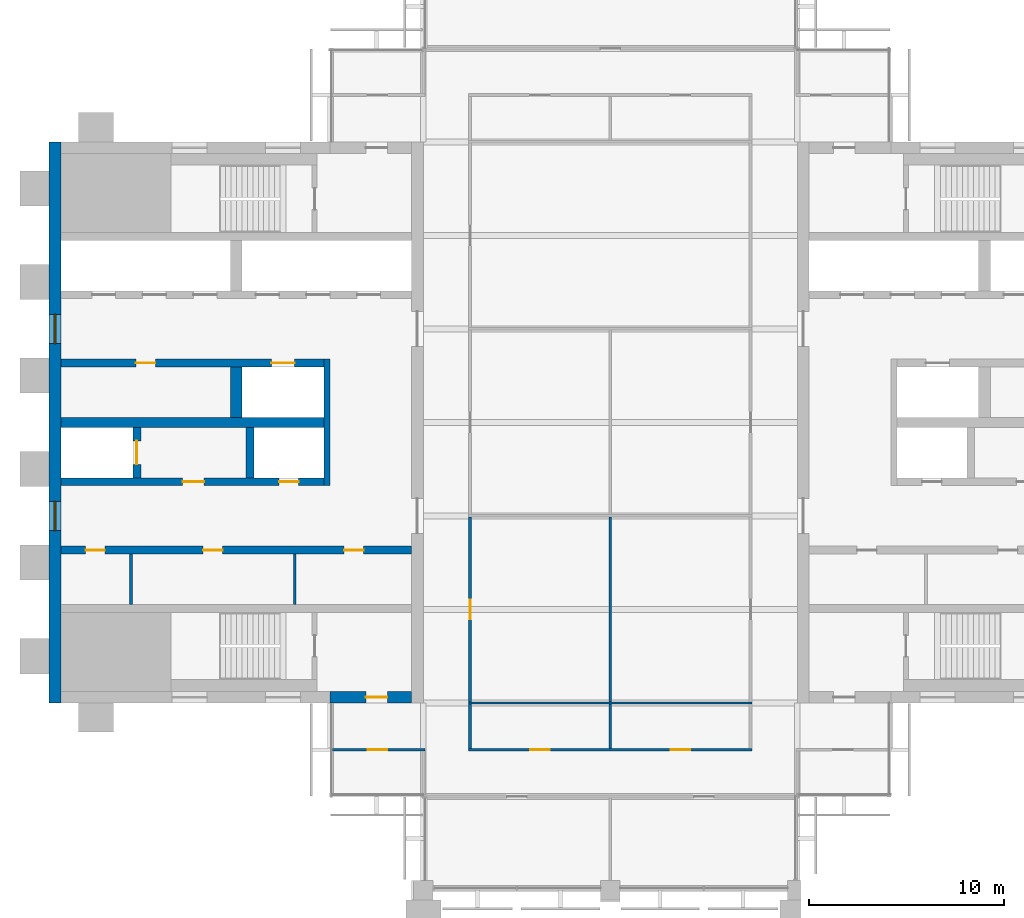
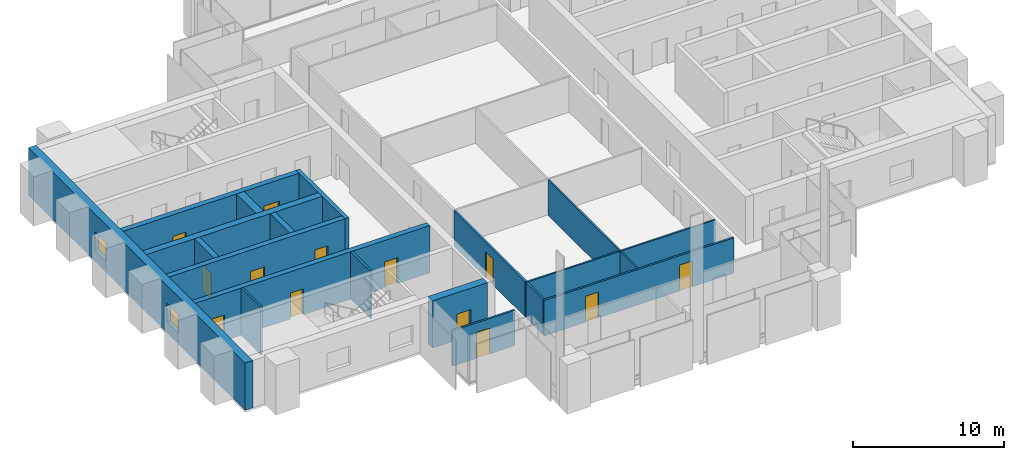
# One storey, part 8 of 13: 19 walls, 13 doors, 2 windows, 15 openings.
"""IFC4 building model written with IfcOpenShell, lengths in metres."""

from ifc_helpers import new_model, si_unit, direction, frame, frame_2d, origin, place, context, subcontext, project, spatial, rectangle, extrude, material, layer, layer_set, type_object, element, fill, save


model = new_model("IFC4")

# Units and contexts
model_context = context("Model", 3, precision=1e-05, world=origin(), true_north=direction((0.0, 1.0)))
body_context = subcontext(model_context, "Body", "Model", "MODEL_VIEW")
ifc_project = project(units=[si_unit("LENGTHUNIT", "METRE"), si_unit("AREAUNIT", "SQUARE_METRE"), si_unit("VOLUMEUNIT", "CUBIC_METRE"), si_unit("PLANEANGLEUNIT", "RADIAN"), si_unit("MASSUNIT", "GRAM", prefix="KILO")], contexts=[model_context])

# Site, building, storey
site_placement = place(None, origin())
site = spatial("IfcSite", under=ifc_project, at=site_placement, CompositionType="ELEMENT")
building_placement = place(site_placement, origin())
building = spatial("IfcBuilding", under=site, at=building_placement, Name="Baori Bourse Tower", CompositionType="ELEMENT")
storey_placement = place(building_placement, frame((0.0, 0.0, 294.300048828125)))
storey = spatial("IfcBuildingStorey", under=building, at=storey_placement, Name="L64", CompositionType="ELEMENT", Elevation=294.300048828125)

# Walls
ifc_material_1 = material(Name="Blockwork partition", Category="masonry")
ifc_layer_1 = layer(ifc_material_1, 0.14990234375)
ifc_layer_set_1 = layer_set([ifc_layer_1], Name="Core partition 150")
wall_type_1 = type_object("IfcWallType", Name="Core partition 150", PredefinedType="PARTITIONING", material=ifc_layer_set_1)
for number, where, z_axis, x_axis, name in (
    (1, (4.199951171875, 14.64990234375, 0.0), (0.0, 0.0, 1.0), (0.0, 1.0, 0.0), "Partition wall W09"),
    (2, (12.60009765625, 14.64990234375, 0.0), (0.0, 0.0, 1.0), (0.0, 1.0, 0.0), "Partition wall W10"),
):
    element("IfcWall", number, at=place(storey_placement, frame(where, z_axis=z_axis, x_axis=x_axis)), inside=storey, type_object=wall_type_1, Name=name, PredefinedType="PARTITIONING", context=body_context, shape_type="SweptSolid", body=[
        extrude(rectangle(XDim=2.60009765625, YDim=0.14990234375, at=frame_2d((1.300048828125, 0.0))), origin(), (0.0, 0.0, 1.0), 3.83984375),
    ])

# Wall, openings, windows
ifc_material_2 = material(Name="Concrete f'c 40 MPa", Category="concrete")
ifc_layer_2 = layer(ifc_material_2, 0.60009765625)
ifc_layer_set_2 = layer_set([ifc_layer_2], Name="Core wall 600 f'c 40")
wall_type_2 = type_object("IfcWallType", Name="Core wall 600 f'c 40", PredefinedType="SHEAR", material=ifc_layer_set_2)
wall_1_placement = place(storey_placement, frame((0.300048828125, 9.60009765625, 0.0), z_axis=(0.0, 0.0, 1.0), x_axis=(0.0, 1.0, 0.0)))
wall_1 = element("IfcWall", 3, at=wall_1_placement, inside=storey, type_object=wall_type_2, Name="Core wall W01", PredefinedType="SHEAR", context=body_context, shape_type="SweptSolid", body=[
    extrude(rectangle(XDim=28.7998046875, YDim=0.60009765625, at=frame_2d((14.39990234375, 0.0))), origin(), (0.0, 0.0, 1.0), 3.83984375),
])
opening_1_placement = place(wall_1_placement, frame((8.85009765625, 0.0, 0.89990234375)))
opening_1 = element("IfcOpeningElement", 4, at=opening_1_placement, cuts=wall_1, Name="Opening L64-KW101", PredefinedType="OPENING", context=body_context, shape_type="SweptSolid", body=[
    extrude(rectangle(XDim=1.5, YDim=1.5, at=frame_2d((0.75, 0.75))), frame((0.0, 0.31005859375, 0.0), z_axis=(0.0, -1.0, 0.0), x_axis=(1.0, 0.0, 0.0)), (0.0, 0.0, 1.0), 0.6201171875),
])
opening_2_placement = place(wall_1_placement, frame((18.449951171875, 0.0, 0.89990234375)))
opening_2 = element("IfcOpeningElement", 5, at=opening_2_placement, cuts=wall_1, Name="Opening L64-KW102", PredefinedType="OPENING", context=body_context, shape_type="SweptSolid", body=[
    extrude(rectangle(XDim=1.5, YDim=1.5, at=frame_2d((0.75, 0.75))), frame((0.0, 0.31005859375, 0.0), z_axis=(0.0, -1.0, 0.0), x_axis=(1.0, 0.0, 0.0)), (0.0, 0.0, 1.0), 0.6201171875),
])
ifc_material_3 = material(Name="Pale anodised aluminium", Category="aluminium")
window_type = type_object("IfcWindowType", Name="Lobby window 1500 x 1500", PartitioningType="SINGLE_PANEL", PredefinedType="WINDOW", material=ifc_material_3)
window_1_placement = place(opening_1_placement, origin())
window_1 = element("IfcWindow", 6, at=window_1_placement, inside=storey, type_object=window_type, Name="Outer wall window W L64 1", OverallHeight=1.5, OverallWidth=1.5, PartitioningType="SINGLE_PANEL", PredefinedType="WINDOW", context=body_context, shape_type="SweptSolid", body=[
    extrude(rectangle(XDim=1.5, YDim=1.5, at=frame_2d((0.75, 0.75))), frame((0.0, 0.030029296875, 0.0), z_axis=(0.0, -1.0, 0.0), x_axis=(1.0, 0.0, 0.0)), (0.0, 0.0, 1.0), 0.06005859375),
])
fill(opening_1, window_1)
window_2_placement = place(opening_2_placement, origin())
window_2 = element("IfcWindow", 7, at=window_2_placement, inside=storey, type_object=window_type, Name="Outer wall window W L64 2", OverallHeight=1.5, OverallWidth=1.5, PartitioningType="SINGLE_PANEL", PredefinedType="WINDOW", context=body_context, shape_type="SweptSolid", body=[
    extrude(rectangle(XDim=1.5, YDim=1.5, at=frame_2d((0.75, 0.75))), frame((0.0, 0.030029296875, 0.0), z_axis=(0.0, -1.0, 0.0), x_axis=(1.0, 0.0, 0.0)), (0.0, 0.0, 1.0), 0.06005859375),
])
fill(opening_2, window_2)

# Wall, opening, door
wall_2_placement = place(storey_placement, frame((18.60009765625, 9.89990234375, 0.0), z_axis=(0.0, 0.0, 1.0), x_axis=(-1.0, 0.0, 0.0)))
wall_2 = element("IfcWall", 8, at=wall_2_placement, inside=storey, type_object=wall_type_2, Name="Core wall W03", PredefinedType="SHEAR", context=body_context, shape_type="SweptSolid", body=[
    extrude(rectangle(XDim=4.2001953125, YDim=0.60009765625, at=frame_2d((2.10009765625, 0.0))), origin(), (0.0, 0.0, 1.0), 3.83984375),
])
opening_3_placement = place(wall_2_placement, frame((1.25, 0.0, 0.0)))
opening_3 = element("IfcOpeningElement", 9, at=opening_3_placement, cuts=wall_2, Name="Opening L64-D102", PredefinedType="OPENING", context=body_context, shape_type="SweptSolid", body=[
    extrude(rectangle(XDim=1.10009765625, YDim=2.10009765625, at=frame_2d((0.550048828125, 1.050048828125))), frame((0.0, 0.31005859375, 0.0), z_axis=(0.0, -1.0, 0.0), x_axis=(1.0, 0.0, 0.0)), (0.0, 0.0, 1.0), 0.6201171875),
])
ifc_material_4 = material(Name="Painted steel door", Category="steel")
door_type_1 = type_object("IfcDoorType", Name="Stair door 1100", OperationType="SINGLE_SWING_LEFT", PredefinedType="DOOR", material=ifc_material_4)
door_1_placement = place(opening_3_placement, origin())
door_1 = element("IfcDoor", 10, at=door_1_placement, inside=storey, type_object=door_type_1, Name="Stair vestibule door A W L64", OperationType="SINGLE_SWING_LEFT", OverallHeight=2.10009765625, OverallWidth=1.10009765625, PredefinedType="DOOR", context=body_context, shape_type="SweptSolid", body=[
    extrude(rectangle(XDim=1.10009765625, YDim=2.10009765625, at=frame_2d((0.550048828125, 1.050048828125))), frame((0.0, 0.02490234375, 0.0), z_axis=(0.0, -1.0, 0.0), x_axis=(1.0, 0.0, 0.0)), (0.0, 0.0, 1.0), 0.050048828125),
])
fill(opening_3, door_1)

ifc_material_5 = material(Name="Gypsum board partition")
ifc_layer_3 = layer(ifc_material_5, 0.14990234375)
ifc_layer_set_3 = layer_set([ifc_layer_3], Name="Corridor partition 150")
wall_type_3 = type_object("IfcWallType", Name="Corridor partition 150", PredefinedType="PARTITIONING", material=ifc_layer_set_3)
wall_3_placement = place(storey_placement, frame((14.5, 7.199951171875, 0.0), z_axis=(0.0, 0.0, 1.0), x_axis=(1.0, 0.0, 0.0)))
wall_3 = element("IfcWall", 11, at=wall_3_placement, inside=storey, type_object=wall_type_3, Name="Partition", PredefinedType="PARTITIONING", context=body_context, shape_type="SweptSolid", body=[
    extrude(rectangle(XDim=4.77490234375, YDim=0.14990234375, at=frame_2d((2.387451171875, 0.0))), origin(), (0.0, 0.0, 1.0), 2.86962890625),
])
opening_4_placement = place(wall_3_placement, frame((1.85009765625, 0.0, 0.0)))
opening_4 = element("IfcOpeningElement", 12, at=opening_4_placement, cuts=wall_3, Name="Opening L64-D03", PredefinedType="OPENING", context=body_context, shape_type="SweptSolid", body=[
    extrude(rectangle(XDim=1.0, YDim=2.10009765625, at=frame_2d((0.5, 1.050048828125))), frame((0.0, 0.0849609375, 0.0), z_axis=(0.0, -1.0, 0.0), x_axis=(1.0, 0.0, 0.0)), (0.0, 0.0, 1.0), 0.169921875),
])
ifc_material_6 = material(Name="Timber door leaf", Category="wood")
door_type_2 = type_object("IfcDoorType", Name="Door 1000 x 2100", OperationType="SINGLE_SWING_LEFT", PredefinedType="DOOR", material=ifc_material_6)
door_2_placement = place(opening_4_placement, origin())
door_2 = element("IfcDoor", 13, at=door_2_placement, inside=storey, type_object=door_type_2, Name="Door", OperationType="SINGLE_SWING_LEFT", OverallHeight=2.10009765625, OverallWidth=1.0, PredefinedType="DOOR", context=body_context, shape_type="SweptSolid", body=[
    extrude(rectangle(XDim=1.0, YDim=2.10009765625, at=frame_2d((0.5, 1.050048828125))), frame((0.0, 0.02490234375, 0.0), z_axis=(0.0, -1.0, 0.0), x_axis=(1.0, 0.0, 0.0)), (0.0, 0.0, 1.0), 0.050048828125),
])
fill(opening_4, door_2)

# Wall, openings, doors
wall_4_placement = place(storey_placement, frame((21.52490234375, 7.199951171875, 0.0), z_axis=(0.0, 0.0, 1.0), x_axis=(1.0, 0.0, 0.0)))
wall_4 = element("IfcWall", 14, at=wall_4_placement, inside=storey, type_object=wall_type_3, Name="Partition", PredefinedType="PARTITIONING", context=body_context, shape_type="SweptSolid", body=[
    extrude(rectangle(XDim=14.550048828125, YDim=0.14990234375, at=frame_2d((7.27490234375, 0.0))), origin(), (0.0, 0.0, 1.0), 2.86962890625),
])
opening_5_placement = place(wall_4_placement, frame((3.175048828125, 0.0, 0.0)))
opening_5 = element("IfcOpeningElement", 15, at=opening_5_placement, cuts=wall_4, Name="Opening L64-D04", PredefinedType="OPENING", context=body_context, shape_type="SweptSolid", body=[
    extrude(rectangle(XDim=1.0, YDim=2.10009765625, at=frame_2d((0.5, 1.050048828125))), frame((0.0, 0.0849609375, 0.0), z_axis=(0.0, -1.0, 0.0), x_axis=(1.0, 0.0, 0.0)), (0.0, 0.0, 1.0), 0.169921875),
])
opening_6_placement = place(wall_4_placement, frame((10.375, 0.0, 0.0)))
opening_6 = element("IfcOpeningElement", 16, at=opening_6_placement, cuts=wall_4, Name="Opening L64-D05", PredefinedType="OPENING", context=body_context, shape_type="SweptSolid", body=[
    extrude(rectangle(XDim=1.0, YDim=2.10009765625, at=frame_2d((0.5, 1.050048828125))), frame((0.0, 0.0849609375, 0.0), z_axis=(0.0, -1.0, 0.0), x_axis=(1.0, 0.0, 0.0)), (0.0, 0.0, 1.0), 0.169921875),
])
door_3_placement = place(opening_5_placement, origin())
door_3 = element("IfcDoor", 17, at=door_3_placement, inside=storey, type_object=door_type_2, Name="Door", OperationType="SINGLE_SWING_RIGHT", OverallHeight=2.10009765625, OverallWidth=1.0, PredefinedType="DOOR", context=body_context, shape_type="SweptSolid", body=[
    extrude(rectangle(XDim=1.0, YDim=2.10009765625, at=frame_2d((0.5, 1.050048828125))), frame((0.0, 0.02490234375, 0.0), z_axis=(0.0, -1.0, 0.0), x_axis=(1.0, 0.0, 0.0)), (0.0, 0.0, 1.0), 0.050048828125),
])
fill(opening_5, door_3)
door_4_placement = place(opening_6_placement, origin())
door_4 = element("IfcDoor", 18, at=door_4_placement, inside=storey, type_object=door_type_2, Name="Door", OperationType="SINGLE_SWING_LEFT", OverallHeight=2.10009765625, OverallWidth=1.0, PredefinedType="DOOR", context=body_context, shape_type="SweptSolid", body=[
    extrude(rectangle(XDim=1.0, YDim=2.10009765625, at=frame_2d((0.5, 1.050048828125))), frame((0.0, 0.02490234375, 0.0), z_axis=(0.0, -1.0, 0.0), x_axis=(1.0, 0.0, 0.0)), (0.0, 0.0, 1.0), 0.050048828125),
])
fill(opening_6, door_4)

# Wall
wall_5_placement = place(storey_placement, frame((21.60009765625, 7.27490234375, 0.0), z_axis=(0.0, 0.0, 1.0), x_axis=(0.0, 1.0, 0.0)))
element("IfcWall", 19, at=wall_5_placement, inside=storey, type_object=wall_type_3, Name="Partition", PredefinedType="PARTITIONING", context=body_context, shape_type="SweptSolid", body=[
    extrude(rectangle(XDim=2.2626953125, YDim=0.14990234375, at=frame_2d((1.13134765625, 0.0))), origin(), (0.0, 0.0, 1.0), 2.86962890625),
])

# Wall, opening, door
wall_6_placement = place(storey_placement, frame((21.60009765625, 9.66259765625, 0.0), z_axis=(0.0, 0.0, 1.0), x_axis=(0.0, 1.0, 0.0)))
wall_6 = element("IfcWall", 20, at=wall_6_placement, inside=storey, type_object=wall_type_3, Name="Partition", PredefinedType="PARTITIONING", context=body_context, shape_type="SweptSolid", body=[
    extrude(rectangle(XDim=9.474853515625, YDim=0.14990234375, at=frame_2d((4.7373046875, 0.0))), origin(), (0.0, 0.0, 1.0), 2.86962890625),
])
opening_7_placement = place(wall_6_placement, frame((4.237548828125, 0.0, 0.0)))
opening_7 = element("IfcOpeningElement", 21, at=opening_7_placement, cuts=wall_6, Name="Opening L64-D12", PredefinedType="OPENING", context=body_context, shape_type="SweptSolid", body=[
    extrude(rectangle(XDim=1.0, YDim=2.10009765625, at=frame_2d((0.5, 1.050048828125))), frame((0.0, 0.0849609375, 0.0), z_axis=(0.0, -1.0, 0.0), x_axis=(1.0, 0.0, 0.0)), (0.0, 0.0, 1.0), 0.169921875),
])
door_5_placement = place(opening_7_placement, origin())
door_5 = element("IfcDoor", 22, at=door_5_placement, inside=storey, type_object=door_type_2, Name="Door", OperationType="SINGLE_SWING_RIGHT", OverallHeight=2.10009765625, OverallWidth=1.0, PredefinedType="DOOR", context=body_context, shape_type="SweptSolid", body=[
    extrude(rectangle(XDim=1.0, YDim=2.10009765625, at=frame_2d((0.5, 1.050048828125))), frame((0.0, 0.02490234375, 0.0), z_axis=(0.0, -1.0, 0.0), x_axis=(1.0, 0.0, 0.0)), (0.0, 0.0, 1.0), 0.050048828125),
])
fill(opening_7, door_5)

# Walls
ifc_material_7 = material(Name="Gypsum board partition")
ifc_layer_4 = layer(ifc_material_7, 0.125)
ifc_layer_set_4 = layer_set([ifc_layer_4], Name="Partition 125")
wall_type_4 = type_object("IfcWallType", Name="Partition 125", PredefinedType="PARTITIONING", material=ifc_layer_set_4)
wall_7_placement = place(storey_placement, frame((21.52490234375, 9.60009765625, 0.0), z_axis=(0.0, 0.0, 1.0), x_axis=(1.0, 0.0, 0.0)))
element("IfcWall", 23, at=wall_7_placement, inside=storey, type_object=wall_type_4, Name="Partition", PredefinedType="PARTITIONING", context=body_context, shape_type="SweptSolid", body=[
    extrude(rectangle(XDim=14.550048828125, YDim=0.125, at=frame_2d((7.27490234375, 0.0))), origin(), (0.0, 0.0, 1.0), 2.86962890625),
])
wall_8_placement = place(storey_placement, frame((28.800048828125, 7.27490234375, 0.0), z_axis=(0.0, 0.0, 1.0), x_axis=(0.0, 1.0, 0.0)))
element("IfcWall", 24, at=wall_8_placement, inside=storey, type_object=wall_type_4, Name="Partition", PredefinedType="PARTITIONING", context=body_context, shape_type="SweptSolid", body=[
    extrude(rectangle(XDim=2.2626953125, YDim=0.125, at=frame_2d((1.13134765625, 0.0))), origin(), (0.0, 0.0, 1.0), 2.86962890625),
])
wall_9_placement = place(storey_placement, frame((28.800048828125, 9.66259765625, 0.0), z_axis=(0.0, 0.0, 1.0), x_axis=(0.0, 1.0, 0.0)))
element("IfcWall", 25, at=wall_9_placement, inside=storey, type_object=wall_type_4, Name="Partition", PredefinedType="PARTITIONING", context=body_context, shape_type="SweptSolid", body=[
    extrude(rectangle(XDim=9.474853515625, YDim=0.125, at=frame_2d((4.7373046875, 0.0))), origin(), (0.0, 0.0, 1.0), 2.86962890625),
])
ifc_material_8 = material(Name="Concrete f'c 40 MPa", Category="concrete")
ifc_layer_5 = layer(ifc_material_8, 0.300048828125)
ifc_layer_set_5 = layer_set([ifc_layer_5], Name="Shaft wall 300 f'c 40")
wall_type_5 = type_object("IfcWallType", Name="Shaft wall 300 f'c 40", PredefinedType="SHEAR", material=ifc_layer_set_5)
wall_10_placement = place(storey_placement, frame((14.25, 20.75, 0.0), z_axis=(0.0, 0.0, 1.0), x_axis=(0.0, 1.0, 0.0)))
element("IfcWall", 26, at=wall_10_placement, inside=storey, type_object=wall_type_5, Name="Core wall W13", PredefinedType="SHEAR", context=body_context, shape_type="SweptSolid", body=[
    extrude(rectangle(XDim=6.5, YDim=0.300048828125, at=frame_2d((3.25, 0.0))), origin(), (0.0, 0.0, 1.0), 3.83984375),
])

# Wall, openings, doors
ifc_material_9 = material(Name="Concrete f'c 40 MPa", Category="concrete")
ifc_layer_6 = layer(ifc_material_9, 0.39990234375)
ifc_layer_set_6 = layer_set([ifc_layer_6], Name="Shaft wall 400 f'c 40")
wall_type_6 = type_object("IfcWallType", Name="Shaft wall 400 f'c 40", PredefinedType="SHEAR", material=ifc_layer_set_6)
wall_11_placement = place(storey_placement, frame((0.60009765625, 17.449951171875, 0.0), z_axis=(0.0, 0.0, 1.0), x_axis=(1.0, 0.0, 0.0)))
wall_11 = element("IfcWall", 27, at=wall_11_placement, inside=storey, type_object=wall_type_6, Name="Core wall W11", PredefinedType="SHEAR", context=body_context, shape_type="SweptSolid", body=[
    extrude(rectangle(XDim=18.0, YDim=0.39990234375, at=frame_2d((9.0, 0.0))), origin(), (0.0, 0.0, 1.0), 3.83984375),
])
opening_8_placement = place(wall_11_placement, frame((1.262451171875, 0.0, 0.0)))
opening_8 = element("IfcOpeningElement", 28, at=opening_8_placement, cuts=wall_11, Name="Opening L64-D109", PredefinedType="OPENING", context=body_context, shape_type="SweptSolid", body=[
    extrude(rectangle(XDim=1.0, YDim=2.10009765625, at=frame_2d((0.5, 1.050048828125))), frame((0.0, 0.2099609375, 0.0), z_axis=(0.0, -1.0, 0.0), x_axis=(1.0, 0.0, 0.0)), (0.0, 0.0, 1.0), 0.419921875),
])
opening_9_placement = place(wall_11_placement, frame((7.300048828125, 0.0, 0.0)))
opening_9 = element("IfcOpeningElement", 29, at=opening_9_placement, cuts=wall_11, Name="Opening L64-D110", PredefinedType="OPENING", context=body_context, shape_type="SweptSolid", body=[
    extrude(rectangle(XDim=1.0, YDim=2.10009765625, at=frame_2d((0.5, 1.050048828125))), frame((0.0, 0.2099609375, 0.0), z_axis=(0.0, -1.0, 0.0), x_axis=(1.0, 0.0, 0.0)), (0.0, 0.0, 1.0), 0.419921875),
])
opening_10_placement = place(wall_11_placement, frame((14.53759765625, 0.0, 0.0)))
opening_10 = element("IfcOpeningElement", 30, at=opening_10_placement, cuts=wall_11, Name="Opening L64-D111", PredefinedType="OPENING", context=body_context, shape_type="SweptSolid", body=[
    extrude(rectangle(XDim=1.0, YDim=2.10009765625, at=frame_2d((0.5, 1.050048828125))), frame((0.0, 0.2099609375, 0.0), z_axis=(0.0, -1.0, 0.0), x_axis=(1.0, 0.0, 0.0)), (0.0, 0.0, 1.0), 0.419921875),
])
ifc_material_10 = material(Name="Painted steel door", Category="steel")
door_type_3 = type_object("IfcDoorType", Name="Core door 1000", OperationType="SINGLE_SWING_LEFT", PredefinedType="DOOR", material=ifc_material_10)
door_6_placement = place(opening_8_placement, origin())
door_6 = element("IfcDoor", 31, at=door_6_placement, inside=storey, type_object=door_type_3, Name="Accessible Wc door W L64", OperationType="SINGLE_SWING_LEFT", OverallHeight=2.10009765625, OverallWidth=1.0, PredefinedType="DOOR", context=body_context, shape_type="SweptSolid", body=[
    extrude(rectangle(XDim=1.0, YDim=2.10009765625, at=frame_2d((0.5, 1.050048828125))), frame((0.0, 0.02490234375, 0.0), z_axis=(0.0, -1.0, 0.0), x_axis=(1.0, 0.0, 0.0)), (0.0, 0.0, 1.0), 0.050048828125),
])
fill(opening_8, door_6)
door_7_placement = place(opening_9_placement, origin())
door_7 = element("IfcDoor", 32, at=door_7_placement, inside=storey, type_object=door_type_3, Name="Men'S Wc door W L64", OperationType="SINGLE_SWING_LEFT", OverallHeight=2.10009765625, OverallWidth=1.0, PredefinedType="DOOR", context=body_context, shape_type="SweptSolid", body=[
    extrude(rectangle(XDim=1.0, YDim=2.10009765625, at=frame_2d((0.5, 1.050048828125))), frame((0.0, 0.02490234375, 0.0), z_axis=(0.0, -1.0, 0.0), x_axis=(1.0, 0.0, 0.0)), (0.0, 0.0, 1.0), 0.050048828125),
])
fill(opening_9, door_7)
door_8_placement = place(opening_10_placement, origin())
door_8 = element("IfcDoor", 33, at=door_8_placement, inside=storey, type_object=door_type_3, Name="Women'S Wc door W L64", OperationType="SINGLE_SWING_LEFT", OverallHeight=2.10009765625, OverallWidth=1.0, PredefinedType="DOOR", context=body_context, shape_type="SweptSolid", body=[
    extrude(rectangle(XDim=1.0, YDim=2.10009765625, at=frame_2d((0.5, 1.050048828125))), frame((0.0, 0.02490234375, 0.0), z_axis=(0.0, -1.0, 0.0), x_axis=(1.0, 0.0, 0.0)), (0.0, 0.0, 1.0), 0.050048828125),
])
fill(opening_10, door_8)

wall_12_placement = place(storey_placement, frame((0.60009765625, 20.949951171875, 0.0), z_axis=(0.0, 0.0, 1.0), x_axis=(1.0, 0.0, 0.0)))
wall_12 = element("IfcWall", 34, at=wall_12_placement, inside=storey, type_object=wall_type_6, Name="Core wall W12", PredefinedType="SHEAR", context=body_context, shape_type="SweptSolid", body=[
    extrude(rectangle(XDim=13.5, YDim=0.39990234375, at=frame_2d((6.75, 0.0))), origin(), (0.0, 0.0, 1.0), 3.83984375),
])
opening_11_placement = place(wall_12_placement, frame((6.25, 0.0, 0.0)))
opening_11 = element("IfcOpeningElement", 35, at=opening_11_placement, cuts=wall_12, Name="Opening L64-D105", PredefinedType="OPENING", context=body_context, shape_type="SweptSolid", body=[
    extrude(rectangle(XDim=1.10009765625, YDim=2.10009765625, at=frame_2d((0.550048828125, 1.050048828125))), frame((0.0, 0.2099609375, 0.0), z_axis=(0.0, -1.0, 0.0), x_axis=(1.0, 0.0, 0.0)), (0.0, 0.0, 1.0), 0.419921875),
])
opening_12_placement = place(wall_12_placement, frame((11.199951171875, 0.0, 0.0)))
opening_12 = element("IfcOpeningElement", 36, at=opening_12_placement, cuts=wall_12, Name="Opening L64-D106", PredefinedType="OPENING", context=body_context, shape_type="SweptSolid", body=[
    extrude(rectangle(XDim=1.0, YDim=2.10009765625, at=frame_2d((0.5, 1.050048828125))), frame((0.0, 0.2099609375, 0.0), z_axis=(0.0, -1.0, 0.0), x_axis=(1.0, 0.0, 0.0)), (0.0, 0.0, 1.0), 0.419921875),
])
ifc_material_11 = material(Name="Painted steel door", Category="steel")
door_type_4 = type_object("IfcDoorType", Name="Lobby door 1100", OperationType="SINGLE_SWING_LEFT", PredefinedType="DOOR", material=ifc_material_11)
door_9_placement = place(opening_11_placement, origin())
door_9 = element("IfcDoor", 37, at=door_9_placement, inside=storey, type_object=door_type_4, Name="Firefighting lobby door W L64", OperationType="SINGLE_SWING_LEFT", OverallHeight=2.10009765625, OverallWidth=1.10009765625, PredefinedType="DOOR", context=body_context, shape_type="SweptSolid", body=[
    extrude(rectangle(XDim=1.10009765625, YDim=2.10009765625, at=frame_2d((0.550048828125, 1.050048828125))), frame((0.0, 0.02490234375, 0.0), z_axis=(0.0, -1.0, 0.0), x_axis=(1.0, 0.0, 0.0)), (0.0, 0.0, 1.0), 0.050048828125),
])
fill(opening_11, door_9)
ifc_material_12 = material(Name="Painted steel door", Category="steel")
door_type_5 = type_object("IfcDoorType", Name="Shaft door 1000", OperationType="SINGLE_SWING_LEFT", PredefinedType="DOOR", material=ifc_material_12)
door_10_placement = place(opening_12_placement, origin())
door_10 = element("IfcDoor", 38, at=door_10_placement, inside=storey, type_object=door_type_5, Name="Riser room door W L64", OperationType="SINGLE_SWING_LEFT", OverallHeight=2.10009765625, OverallWidth=1.0, PredefinedType="DOOR", context=body_context, shape_type="SweptSolid", body=[
    extrude(rectangle(XDim=1.0, YDim=2.10009765625, at=frame_2d((0.5, 1.050048828125))), frame((0.0, 0.02490234375, 0.0), z_axis=(0.0, -1.0, 0.0), x_axis=(1.0, 0.0, 0.0)), (0.0, 0.0, 1.0), 0.050048828125),
])
fill(opening_12, door_10)

# Wall, opening, door
wall_13_placement = place(storey_placement, frame((4.5, 21.14990234375, 0.0), z_axis=(0.0, 0.0, 1.0), x_axis=(0.0, 1.0, 0.0)))
wall_13 = element("IfcWall", 39, at=wall_13_placement, inside=storey, type_object=wall_type_6, Name="Core wall W14", PredefinedType="SHEAR", context=body_context, shape_type="SweptSolid", body=[
    extrude(rectangle(XDim=2.60009765625, YDim=0.39990234375, at=frame_2d((1.300048828125, 0.0))), origin(), (0.0, 0.0, 1.0), 3.83984375),
])
opening_13_placement = place(wall_13_placement, frame((0.699951171875, 0.0, 0.0)))
opening_13 = element("IfcOpeningElement", 40, at=opening_13_placement, cuts=wall_13, Name="Opening L64-D120", PredefinedType="OPENING", context=body_context, shape_type="SweptSolid", body=[
    extrude(rectangle(XDim=1.199951171875, YDim=2.10009765625, at=frame_2d((0.60009765625, 1.050048828125))), frame((0.0, 0.2099609375, 0.0), z_axis=(0.0, -1.0, 0.0), x_axis=(1.0, 0.0, 0.0)), (0.0, 0.0, 1.0), 0.419921875),
])
ifc_material_13 = material(Name="Stainless steel door", Category="steel")
door_type_6 = type_object("IfcDoorType", Name="Lift landing door", OperationType="DOUBLE_DOOR_SLIDING", PredefinedType="DOOR", material=ifc_material_13)
door_11_placement = place(opening_13_placement, origin())
door_11 = element("IfcDoor", 41, at=door_11_placement, inside=storey, type_object=door_type_6, Name="Lift landing door FF1 W L64", OperationType="DOUBLE_DOOR_SLIDING", OverallHeight=2.10009765625, OverallWidth=1.199951171875, PredefinedType="DOOR", context=body_context, shape_type="SweptSolid", body=[
    extrude(rectangle(XDim=1.199951171875, YDim=2.10009765625, at=frame_2d((0.60009765625, 1.050048828125))), frame((0.0, 0.02490234375, 0.0), z_axis=(0.0, -1.0, 0.0), x_axis=(1.0, 0.0, 0.0)), (0.0, 0.0, 1.0), 0.050048828125),
])
fill(opening_13, door_11)

# Wall
wall_14_placement = place(storey_placement, frame((10.300048828125, 21.14990234375, 0.0), z_axis=(0.0, 0.0, 1.0), x_axis=(0.0, 1.0, 0.0)))
element("IfcWall", 42, at=wall_14_placement, inside=storey, type_object=wall_type_6, Name="Core wall W15", PredefinedType="SHEAR", context=body_context, shape_type="SweptSolid", body=[
    extrude(rectangle(XDim=2.60009765625, YDim=0.39990234375, at=frame_2d((1.300048828125, 0.0))), origin(), (0.0, 0.0, 1.0), 3.83984375),
])

# Wall, openings, doors
wall_15_placement = place(storey_placement, frame((0.60009765625, 27.050048828125, 0.0), z_axis=(0.0, 0.0, 1.0), x_axis=(1.0, 0.0, 0.0)))
wall_15 = element("IfcWall", 43, at=wall_15_placement, inside=storey, type_object=wall_type_6, Name="Core wall W18", PredefinedType="SHEAR", context=body_context, shape_type="SweptSolid", body=[
    extrude(rectangle(XDim=13.5, YDim=0.39990234375, at=frame_2d((6.75, 0.0))), origin(), (0.0, 0.0, 1.0), 3.83984375),
])
opening_14_placement = place(wall_15_placement, frame((3.85009765625, 0.0, 0.0)))
opening_14 = element("IfcOpeningElement", 44, at=opening_14_placement, cuts=wall_15, Name="Opening L64-D112", PredefinedType="OPENING", context=body_context, shape_type="SweptSolid", body=[
    extrude(rectangle(XDim=1.0, YDim=2.10009765625, at=frame_2d((0.5, 1.050048828125))), frame((0.0, 0.2099609375, 0.0), z_axis=(0.0, -1.0, 0.0), x_axis=(1.0, 0.0, 0.0)), (0.0, 0.0, 1.0), 0.419921875),
])
opening_15_placement = place(wall_15_placement, frame((10.800048828125, 0.0, 0.0)))
opening_15 = element("IfcOpeningElement", 45, at=opening_15_placement, cuts=wall_15, Name="Opening L64-D119", PredefinedType="OPENING", context=body_context, shape_type="SweptSolid", body=[
    extrude(rectangle(XDim=1.199951171875, YDim=2.10009765625, at=frame_2d((0.60009765625, 1.050048828125))), frame((0.0, 0.2099609375, 0.0), z_axis=(0.0, -1.0, 0.0), x_axis=(1.0, 0.0, 0.0)), (0.0, 0.0, 1.0), 0.419921875),
])
door_12_placement = place(opening_14_placement, origin())
door_12 = element("IfcDoor", 46, at=door_12_placement, inside=storey, type_object=door_type_3, Name="Copy Room door W L64", OperationType="SINGLE_SWING_LEFT", OverallHeight=2.10009765625, OverallWidth=1.0, PredefinedType="DOOR", context=body_context, shape_type="SweptSolid", body=[
    extrude(rectangle(XDim=1.0, YDim=2.10009765625, at=frame_2d((0.5, 1.050048828125))), frame((0.0, 0.02490234375, 0.0), z_axis=(0.0, -1.0, 0.0), x_axis=(1.0, 0.0, 0.0)), (0.0, 0.0, 1.0), 0.050048828125),
])
fill(opening_14, door_12)
door_13_placement = place(opening_15_placement, origin())
door_13 = element("IfcDoor", 47, at=door_13_placement, inside=storey, type_object=door_type_6, Name="Lift landing door SV1 W L64", OperationType="DOUBLE_DOOR_SLIDING", OverallHeight=2.10009765625, OverallWidth=1.199951171875, PredefinedType="DOOR", context=body_context, shape_type="SweptSolid", body=[
    extrude(rectangle(XDim=1.199951171875, YDim=2.10009765625, at=frame_2d((0.60009765625, 1.050048828125))), frame((0.0, 0.02490234375, 0.0), z_axis=(0.0, -1.0, 0.0), x_axis=(1.0, 0.0, 0.0)), (0.0, 0.0, 1.0), 0.050048828125),
])
fill(opening_15, door_13)

# Walls
ifc_material_14 = material(Name="Concrete f'c 40 MPa", Category="concrete")
ifc_layer_7 = layer(ifc_material_14, 0.5)
ifc_layer_set_7 = layer_set([ifc_layer_7], Name="Shaft wall 500 f'c 40")
wall_type_7 = type_object("IfcWallType", Name="Shaft wall 500 f'c 40", PredefinedType="SHEAR", material=ifc_layer_set_7)
wall_16_placement = place(storey_placement, frame((0.60009765625, 24.0, 0.0), z_axis=(0.0, 0.0, 1.0), x_axis=(1.0, 0.0, 0.0)))
element("IfcWall", 48, at=wall_16_placement, inside=storey, type_object=wall_type_7, Name="Core wall W16", PredefinedType="SHEAR", context=body_context, shape_type="SweptSolid", body=[
    extrude(rectangle(XDim=13.5, YDim=0.5, at=frame_2d((6.75, 0.0))), origin(), (0.0, 0.0, 1.0), 3.83984375),
])
ifc_material_15 = material(Name="Concrete f'c 40 MPa", Category="concrete")
ifc_layer_8 = layer(ifc_material_15, 0.60009765625)
ifc_layer_set_8 = layer_set([ifc_layer_8], Name="Shaft wall 600 f'c 40")
wall_type_8 = type_object("IfcWallType", Name="Shaft wall 600 f'c 40", PredefinedType="SHEAR", material=ifc_layer_set_8)
wall_17_placement = place(storey_placement, frame((9.60009765625, 24.25, 0.0), z_axis=(0.0, 0.0, 1.0), x_axis=(0.0, 1.0, 0.0)))
element("IfcWall", 49, at=wall_17_placement, inside=storey, type_object=wall_type_8, Name="Core wall W17", PredefinedType="SHEAR", context=body_context, shape_type="SweptSolid", body=[
    extrude(rectangle(XDim=2.60009765625, YDim=0.60009765625, at=frame_2d((1.300048828125, 0.0))), origin(), (0.0, 0.0, 1.0), 3.83984375),
])

save(model, "model.ifc")
